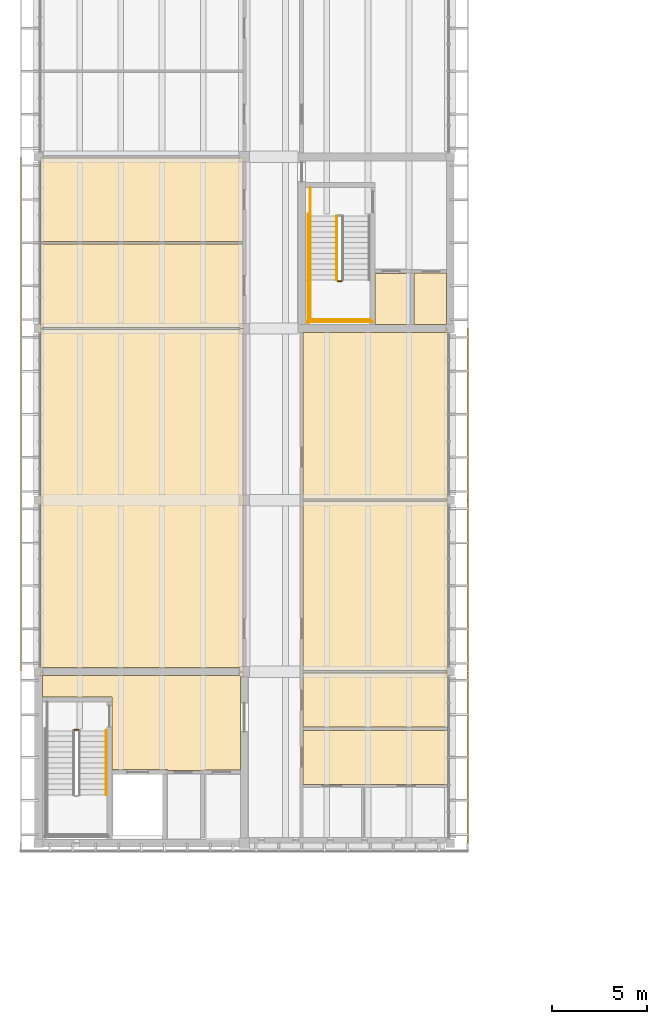
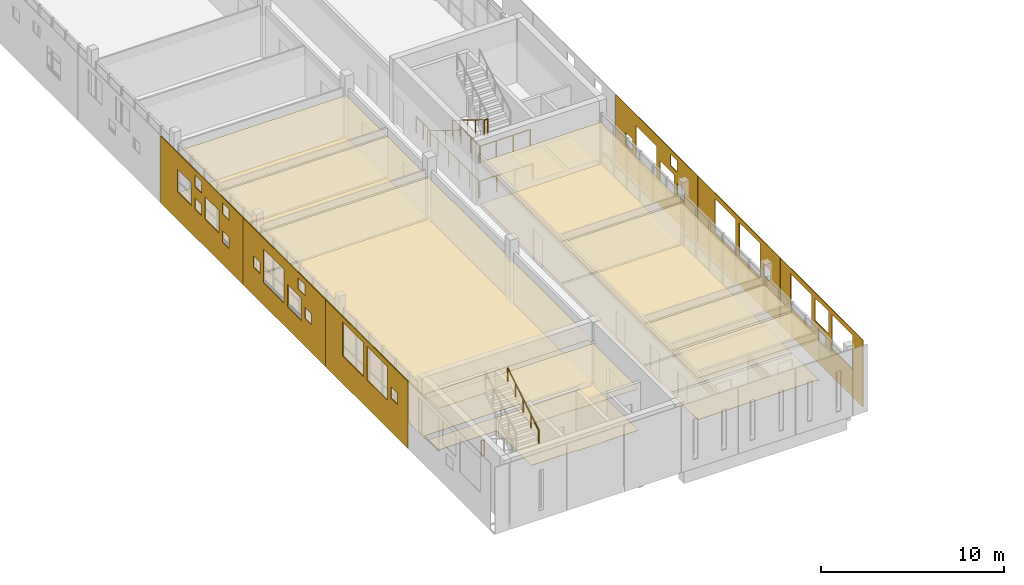
# One storey, part 43 of 50: 24 coverings, 10 railings.
"""IFC4 building model written with IfcOpenShell, lengths in metres."""

from ifc_helpers import new_model, si_unit, direction, frame, origin, origin_2d, place, context, subcontext, project, spatial, polyline, circle, outline, extrude, source, transform, mapped, material, layer, layer_set, type_object, element, save


model = new_model("IFC4")

# Units and contexts
model_context = context("Model", 3, precision=1e-05, world=origin(), true_north=direction((0.0, 1.0)))
body_context = subcontext(model_context, "Body", "Model", "MODEL_VIEW")
ifc_project = project(units=[si_unit("LENGTHUNIT", "METRE"), si_unit("AREAUNIT", "SQUARE_METRE"), si_unit("VOLUMEUNIT", "CUBIC_METRE"), si_unit("PLANEANGLEUNIT", "RADIAN"), si_unit("MASSUNIT", "GRAM", prefix="KILO")], contexts=[model_context])

# Site, building, storey
site_placement = place(None, origin())
site = spatial("IfcSite", under=ifc_project, at=site_placement, CompositionType="ELEMENT")
building_placement = place(site_placement, origin())
building = spatial("IfcBuilding", under=site, at=building_placement, Name="Merrow Basin Faculty of Sciences", CompositionType="ELEMENT")
storey_placement = place(building_placement, frame((0.0, 0.0, 18.0)))
storey = spatial("IfcBuildingStorey", under=building, at=storey_placement, Name="L04", CompositionType="ELEMENT", Elevation=18.0)

# Coverings
ifc_material_1 = material(Name="Carpet tile floor")
ifc_layer_1 = layer(ifc_material_1, 0.02001953125)
ifc_layer_set_1 = layer_set([ifc_layer_1], Name="Carpet tile floor")
covering_type_1 = type_object("IfcCoveringType", Name="Carpet tile floor", PredefinedType="FLOORING", material=ifc_layer_set_1)
covering_1_placement = place(storey_placement, origin())
element("IfcCovering", 1, at=covering_1_placement, inside=storey, type_object=covering_type_1, Name="Floor finish L04-B-008", PredefinedType="FLOORING", context=body_context, shape_type="SweptSolid", body=[
    extrude(outline(polyline([(17.659912109375, 88.2099609375), (17.659912109375, 90.889892578125), (19.489990234375, 90.889892578125), (19.489990234375, 88.2099609375), (17.659912109375, 88.2099609375)])), origin(), (0.0, 0.0, 1.0), 0.02001953125),
])
covering_2_placement = place(storey_placement, origin())
element("IfcCovering", 2, at=covering_2_placement, inside=storey, type_object=covering_type_1, Name="Floor finish L04-B-017", PredefinedType="FLOORING", context=body_context, shape_type="SweptSolid", body=[
    extrude(outline(polyline([(10.7900390625, 87.735107421875), (10.715087890625, 87.735107421875), (10.715087890625, 79.264892578125), (10.7900390625, 79.264892578125), (10.7900390625, 78.735107421875), (10.715087890625, 78.735107421875), (10.715087890625, 70.264892578125), (10.7900390625, 70.264892578125), (10.7900390625, 70.010009765625), (10.534912109375, 70.010009765625), (10.534912109375, 70.2099609375), (0.215087890625, 70.2099609375), (0.215087890625, 70.010009765625), (0.110107421875, 70.010009765625), (0.110107421875, 87.989990234375), (0.215087890625, 87.989990234375), (0.215087890625, 87.93994140625), (10.534912109375, 87.93994140625), (10.534912109375, 87.989990234375), (10.7900390625, 87.989990234375), (10.7900390625, 87.735107421875)])), origin(), (0.0, 0.0, 1.0), 0.02001953125),
])
covering_3_placement = place(storey_placement, origin())
element("IfcCovering", 3, at=covering_3_placement, inside=storey, type_object=covering_type_1, Name="Floor finish L04-B-018", PredefinedType="FLOORING", context=body_context, shape_type="SweptSolid", body=[
    extrude(outline(polyline([(10.715087890625, 92.43994140625), (10.715087890625, 88.264892578125), (10.7900390625, 88.264892578125), (10.7900390625, 88.010009765625), (10.534912109375, 88.010009765625), (10.534912109375, 88.06005859375), (0.215087890625, 88.06005859375), (0.215087890625, 88.010009765625), (0.110107421875, 88.010009765625), (0.110107421875, 92.489990234375), (0.169921875, 92.489990234375), (0.169921875, 92.43994140625), (10.715087890625, 92.43994140625)])), origin(), (0.0, 0.0, 1.0), 0.02001953125),
])
covering_4_placement = place(storey_placement, origin())
element("IfcCovering", 4, at=covering_4_placement, inside=storey, type_object=covering_type_1, Name="Floor finish L04-B-019", PredefinedType="FLOORING", context=body_context, shape_type="SweptSolid", body=[
    extrude(outline(polyline([(10.715087890625, 92.56005859375), (0.169921875, 92.56005859375), (0.169921875, 92.510009765625), (0.110107421875, 92.510009765625), (0.110107421875, 96.989990234375), (0.215087890625, 96.989990234375), (0.215087890625, 96.93994140625), (10.534912109375, 96.93994140625), (10.534912109375, 96.989990234375), (10.7900390625, 96.989990234375), (10.7900390625, 96.735107421875), (10.715087890625, 96.735107421875), (10.715087890625, 92.56005859375)])), origin(), (0.0, 0.0, 1.0), 0.02001953125),
])
covering_5_placement = place(storey_placement, origin())
element("IfcCovering", 5, at=covering_5_placement, inside=storey, type_object=covering_type_1, Name="Floor finish L04-B-024", PredefinedType="FLOORING", context=body_context, shape_type="SweptSolid", body=[
    extrude(outline(polyline([(21.489990234375, 78.989990234375), (21.489990234375, 70.010009765625), (21.385009765625, 70.010009765625), (21.385009765625, 70.06005859375), (13.885009765625, 70.06005859375), (13.885009765625, 78.93994140625), (21.385009765625, 78.93994140625), (21.385009765625, 78.989990234375), (21.489990234375, 78.989990234375)])), origin(), (0.0, 0.0, 1.0), 0.02001953125),
])
covering_6_placement = place(storey_placement, origin())
element("IfcCovering", 6, at=covering_6_placement, inside=storey, type_object=covering_type_1, Name="Floor finish L04-B-025", PredefinedType="FLOORING", context=body_context, shape_type="SweptSolid", body=[
    extrude(outline(polyline([(21.489990234375, 87.989990234375), (21.489990234375, 79.010009765625), (21.385009765625, 79.010009765625), (21.385009765625, 79.06005859375), (13.885009765625, 79.06005859375), (13.885009765625, 87.7900390625), (21.385009765625, 87.7900390625), (21.385009765625, 87.989990234375), (21.489990234375, 87.989990234375)])), origin(), (0.0, 0.0, 1.0), 0.02001953125),
])
covering_7_placement = place(storey_placement, origin())
element("IfcCovering", 7, at=covering_7_placement, inside=storey, type_object=covering_type_1, Name="Floor finish L04-B-028", PredefinedType="FLOORING", context=body_context, shape_type="SweptSolid", body=[
    extrude(outline(polyline([(21.489990234375, 69.989990234375), (21.489990234375, 67.010009765625), (21.429931640625, 67.010009765625), (21.429931640625, 67.0849609375), (13.885009765625, 67.0849609375), (13.885009765625, 69.93994140625), (21.385009765625, 69.93994140625), (21.385009765625, 69.989990234375), (21.489990234375, 69.989990234375)])), origin(), (0.0, 0.0, 1.0), 0.02001953125),
])
ifc_material_2 = material(Name="Polished terrazzo floor")
ifc_layer_2 = layer(ifc_material_2, 0.02001953125)
ifc_layer_set_2 = layer_set([ifc_layer_2], Name="Polished terrazzo floor")
covering_type_2 = type_object("IfcCoveringType", Name="Polished terrazzo floor", PredefinedType="FLOORING", material=ifc_layer_set_2)
covering_8_placement = place(storey_placement, origin())
element("IfcCovering", 8, at=covering_8_placement, inside=storey, type_object=covering_type_2, Name="Floor finish L04-B-005", PredefinedType="FLOORING", context=body_context, shape_type="SweptSolid", body=[
    extrude(outline(polyline([(10.590087890625, 64.8349609375), (8.590087890625, 64.8349609375), (8.590087890625, 64.81005859375), (6.760009765625, 64.81005859375), (6.760009765625, 64.860107421875), (3.860107421875, 64.860107421875), (3.860107421875, 68.659912109375), (0.2099609375, 68.659912109375), (0.2099609375, 69.784912109375), (0.110107421875, 69.784912109375), (0.110107421875, 69.989990234375), (0.215087890625, 69.989990234375), (0.215087890625, 69.7900390625), (10.534912109375, 69.7900390625), (10.534912109375, 69.989990234375), (10.7900390625, 69.989990234375), (10.7900390625, 69.735107421875), (10.590087890625, 69.735107421875), (10.590087890625, 64.8349609375)])), origin(), (0.0, 0.0, 1.0), 0.02001953125),
])
covering_9_placement = place(storey_placement, origin())
element("IfcCovering", 9, at=covering_9_placement, inside=storey, type_object=covering_type_2, Name="Floor finish L04-B-016", PredefinedType="FLOORING", context=body_context, shape_type="SweptSolid", body=[
    extrude(outline(polyline([(21.489990234375, 66.989990234375), (21.489990234375, 64.010009765625), (21.429931640625, 64.010009765625), (21.429931640625, 64.0849609375), (13.885009765625, 64.0849609375), (13.885009765625, 66.9150390625), (21.429931640625, 66.9150390625), (21.429931640625, 66.989990234375), (21.489990234375, 66.989990234375)])), origin(), (0.0, 0.0, 1.0), 0.02001953125),
])
ifc_material_3 = material(Name="Sealed concrete floor", Category="concrete")
ifc_layer_3 = layer(ifc_material_3, 0.02001953125)
ifc_layer_set_3 = layer_set([ifc_layer_3], Name="Sealed concrete floor")
covering_type_3 = type_object("IfcCoveringType", Name="Sealed concrete floor", PredefinedType="FLOORING", material=ifc_layer_set_3)
covering_10_placement = place(storey_placement, origin())
element("IfcCovering", 10, at=covering_10_placement, inside=storey, type_object=covering_type_3, Name="Floor finish L04-B-009", PredefinedType="FLOORING", context=body_context, shape_type="SweptSolid", body=[
    extrude(outline(polyline([(21.389892578125, 90.9150390625), (21.389892578125, 88.215087890625), (21.489990234375, 88.215087890625), (21.489990234375, 88.010009765625), (21.385009765625, 88.010009765625), (21.385009765625, 88.2099609375), (19.7099609375, 88.2099609375), (19.7099609375, 90.9150390625), (21.389892578125, 90.9150390625)])), origin(), (0.0, 0.0, 1.0), 0.02001953125),
])

# Railings
ifc_material_4 = material(Name="Steel ASTM A36", Category="steel")
railing_type_1 = type_object("IfcRailingType", Name="Steel guard 1100", PredefinedType="GUARDRAIL", material=ifc_material_4)
railing_1_placement = place(storey_placement, frame((1.89990234375, 66.949951171875, 0.0)))
element("IfcRailing", 11, at=railing_1_placement, inside=storey, type_object=railing_type_1, Name="L04 ST-V4-S stair guard 6", PredefinedType="GUARDRAIL", context=body_context, shape_type="SweptSolid", body=[
    extrude(circle(Radius=0.02392578125, at=origin_2d()), frame((0.0, 0.0, 1.076171875), z_axis=(1.0, 0.0, 0.0), x_axis=(0.0, 1.0, 0.0)), (0.0, 0.0, 1.0), 0.2001953125),
    extrude(circle(Radius=0.02099609375, at=origin_2d()), origin(), (0.0, 0.0, 1.0), 1.052001953125),
    extrude(circle(Radius=0.02099609375, at=origin_2d()), frame((0.2001953125, 0.0, 0.0)), (0.0, 0.0, 1.0), 1.052001953125),
])
railing_2_placement = place(storey_placement, frame((15.64990234375, 93.89990234375, 0.173095703125)))
element("IfcRailing", 12, at=railing_2_placement, inside=storey, type_object=railing_type_1, Name="L04 ST-V4-M stair guard 1", PredefinedType="GUARDRAIL", context=body_context, shape_type="SweptSolid", body=[
    extrude(circle(Radius=0.02392578125, at=origin_2d()), frame((0.0, 0.0, 1.076171875), z_axis=(0.0, -0.850606129759, 0.525803396734), x_axis=(1.0, 0.0, 0.0)), (0.0, 0.0, 1.0), 3.949951171875),
    extrude(circle(Radius=0.02099609375, at=origin_2d()), origin(), (0.0, 0.0, 1.0), 1.052001953125),
    extrude(circle(Radius=0.02099609375, at=origin_2d()), frame((0.0, -0.83984375, 0.519287109375)), (0.0, 0.0, 1.0), 1.052001953125),
    extrude(circle(Radius=0.02099609375, at=origin_2d()), frame((0.0, -1.679931640625, 1.03857421875)), (0.0, 0.0, 1.0), 1.052001953125),
    extrude(circle(Radius=0.02099609375, at=origin_2d()), frame((0.0, -2.52001953125, 1.5576171875)), (0.0, 0.0, 1.0), 1.052001953125),
    extrude(circle(Radius=0.02099609375, at=origin_2d()), frame((0.0, -3.35986328125, 2.076904296875)), (0.0, 0.0, 1.0), 1.052001953125),
])
railing_3_placement = place(storey_placement, frame((15.699951171875, 90.489990234375, 2.25)))
element("IfcRailing", 13, at=railing_3_placement, inside=storey, type_object=railing_type_1, Name="L04 ST-V4-M stair guard 2", PredefinedType="GUARDRAIL", context=body_context, shape_type="SweptSolid", body=[
    extrude(circle(Radius=0.02392578125, at=origin_2d()), frame((0.0, 0.0, 1.076171875), z_axis=(1.0, 0.0, 0.0), x_axis=(0.0, 1.0, 0.0)), (0.0, 0.0, 1.0), 0.199951171875),
    extrude(circle(Radius=0.02099609375, at=origin_2d()), origin(), (0.0, 0.0, 1.0), 1.052001953125),
    extrude(circle(Radius=0.02099609375, at=origin_2d()), frame((0.199951171875, 0.0, 0.0)), (0.0, 0.0, 1.0), 1.052001953125),
])
railing_4_placement = place(storey_placement, frame((14.25, 90.5400390625, 2.25)))
element("IfcRailing", 14, at=railing_4_placement, inside=storey, type_object=railing_type_1, Name="L04 ST-V4-M stair guard 3", PredefinedType="GUARDRAIL", context=body_context, shape_type="SweptSolid", body=[
    extrude(circle(Radius=0.02392578125, at=origin_2d()), frame((0.0, 0.0, 1.076171875), z_axis=(0.0, -1.0, 0.0), x_axis=(1.0, 0.0, 0.0)), (0.0, 0.0, 1.0), 2.14013671875),
    extrude(circle(Radius=0.02099609375, at=origin_2d()), origin(), (0.0, 0.0, 1.0), 1.052001953125),
    extrude(circle(Radius=0.02099609375, at=origin_2d()), frame((0.0, -1.070068359375, 0.0)), (0.0, 0.0, 1.0), 1.052001953125),
    extrude(circle(Radius=0.02099609375, at=origin_2d()), frame((0.0, -2.14013671875, 0.0)), (0.0, 0.0, 1.0), 1.052001953125),
])
railing_5_placement = place(storey_placement, frame((14.199951171875, 88.449951171875, 2.25)))
element("IfcRailing", 15, at=railing_5_placement, inside=storey, type_object=railing_type_1, Name="L04 ST-V4-M stair guard 4", PredefinedType="GUARDRAIL", context=body_context, shape_type="SweptSolid", body=[
    extrude(circle(Radius=0.02392578125, at=origin_2d()), frame((0.0, 0.0, 1.076171875), z_axis=(1.0, 0.0, 0.0), x_axis=(0.0, 1.0, 0.0)), (0.0, 0.0, 1.0), 3.199951171875),
    extrude(circle(Radius=0.02099609375, at=origin_2d()), origin(), (0.0, 0.0, 1.0), 1.052001953125),
    extrude(circle(Radius=0.02099609375, at=origin_2d()), frame((1.066650390625, 0.0, 0.0)), (0.0, 0.0, 1.0), 1.052001953125),
    extrude(circle(Radius=0.02099609375, at=origin_2d()), frame((2.13330078125, 0.0, 0.0)), (0.0, 0.0, 1.0), 1.052001953125),
    extrude(circle(Radius=0.02099609375, at=origin_2d()), frame((3.199951171875, 0.0, 0.0)), (0.0, 0.0, 1.0), 1.052001953125),
])
railing_6_placement = place(storey_placement, frame((14.25, 95.39990234375, 0.0)))
element("IfcRailing", 16, at=railing_6_placement, inside=storey, type_object=railing_type_1, Name="L04 ST-V4-M stair guard 7", PredefinedType="GUARDRAIL", context=body_context, shape_type="SweptSolid", body=[
    extrude(circle(Radius=0.02392578125, at=origin_2d()), frame((0.0, 0.0, 1.076171875), z_axis=(0.0, -1.0, 0.0), x_axis=(1.0, 0.0, 0.0)), (0.0, 0.0, 1.0), 1.5),
    extrude(circle(Radius=0.02099609375, at=origin_2d()), origin(), (0.0, 0.0, 1.0), 1.052001953125),
    extrude(circle(Radius=0.02099609375, at=origin_2d()), frame((0.0, -0.75, 0.0)), (0.0, 0.0, 1.0), 1.052001953125),
    extrude(circle(Radius=0.02099609375, at=origin_2d()), frame((0.0, -1.5, 0.0)), (0.0, 0.0, 1.0), 1.052001953125),
])
railing_7_placement = place(storey_placement, frame((14.14990234375, 94.0, 0.0)))
element("IfcRailing", 17, at=railing_7_placement, inside=storey, type_object=railing_type_1, Name="L04 ST-V4-M stair guard 8", PredefinedType="GUARDRAIL", context=body_context, shape_type="SweptSolid", body=[
    extrude(circle(Radius=0.02392578125, at=origin_2d()), frame((0.0, 0.0, 1.076171875), z_axis=(0.0, -1.0, 0.0), x_axis=(1.0, 0.0, 0.0)), (0.0, 0.0, 1.0), 5.699951171875),
    extrude(circle(Radius=0.02099609375, at=origin_2d()), origin(), (0.0, 0.0, 1.0), 1.052001953125),
    extrude(circle(Radius=0.02099609375, at=origin_2d()), frame((0.0, -1.139892578125, 0.0)), (0.0, 0.0, 1.0), 1.052001953125),
    extrude(circle(Radius=0.02099609375, at=origin_2d()), frame((0.0, -2.280029296875, 0.0)), (0.0, 0.0, 1.0), 1.052001953125),
    extrude(circle(Radius=0.02099609375, at=origin_2d()), frame((0.0, -3.419921875, 0.0)), (0.0, 0.0, 1.0), 1.052001953125),
    extrude(circle(Radius=0.02099609375, at=origin_2d()), frame((0.0, -4.56005859375, 0.0)), (0.0, 0.0, 1.0), 1.052001953125),
    extrude(circle(Radius=0.02099609375, at=origin_2d()), frame((0.0, -5.699951171875, 0.0)), (0.0, 0.0, 1.0), 1.052001953125),
])
railing_8_placement = place(storey_placement, frame((14.10009765625, 88.35009765625, 0.0)))
element("IfcRailing", 18, at=railing_8_placement, inside=storey, type_object=railing_type_1, Name="L04 ST-V4-M stair guard 9", PredefinedType="GUARDRAIL", context=body_context, shape_type="SweptSolid", body=[
    extrude(circle(Radius=0.02392578125, at=origin_2d()), frame((0.0, 0.0, 1.076171875), z_axis=(1.0, 0.0, 0.0), x_axis=(0.0, 1.0, 0.0)), (0.0, 0.0, 1.0), 3.39990234375),
    extrude(circle(Radius=0.02099609375, at=origin_2d()), origin(), (0.0, 0.0, 1.0), 1.052001953125),
    extrude(circle(Radius=0.02099609375, at=origin_2d()), frame((1.13330078125, 0.0, 0.0)), (0.0, 0.0, 1.0), 1.052001953125),
    extrude(circle(Radius=0.02099609375, at=origin_2d()), frame((2.2666015625, 0.0, 0.0)), (0.0, 0.0, 1.0), 1.052001953125),
    extrude(circle(Radius=0.02099609375, at=origin_2d()), frame((3.39990234375, 0.0, 0.0)), (0.0, 0.0, 1.0), 1.052001953125),
])
ifc_material_5 = material(Name="Steel ASTM A36", Category="steel")
railing_type_2 = type_object("IfcRailingType", Name="Steel handrail 900", PredefinedType="HANDRAIL", material=ifc_material_5)
railing_9_placement = place(storey_placement, frame((3.550048828125, 63.5400390625, 2.423095703125)))
element("IfcRailing", 19, at=railing_9_placement, inside=storey, type_object=railing_type_2, Name="L04 ST-V4-S stair handrail 2", PredefinedType="HANDRAIL", context=body_context, shape_type="SweptSolid", body=[
    extrude(circle(Radius=0.02392578125, at=origin_2d()), frame((0.0, 0.0, 0.8759765625), z_axis=(0.0, 0.850606129759, 0.525803396734), x_axis=(-1.0, 0.0, 0.0)), (0.0, 0.0, 1.0), 3.949951171875),
    extrude(circle(Radius=0.02099609375, at=origin_2d()), origin(), (0.0, 0.0, 1.0), 0.851806640625),
    extrude(circle(Radius=0.02099609375, at=origin_2d()), frame((0.0, 0.83984375, 0.519287109375)), (0.0, 0.0, 1.0), 0.851806640625),
    extrude(circle(Radius=0.02099609375, at=origin_2d()), frame((0.0, 1.679931640625, 1.03857421875)), (0.0, 0.0, 1.0), 0.851806640625),
    extrude(circle(Radius=0.02099609375, at=origin_2d()), frame((0.0, 2.52001953125, 1.5576171875)), (0.0, 0.0, 1.0), 0.851806640625),
    extrude(circle(Radius=0.02099609375, at=origin_2d()), frame((0.0, 3.35986328125, 2.076904296875)), (0.0, 0.0, 1.0), 0.851806640625),
])
railing_10_placement = place(storey_placement, frame((14.25, 93.89990234375, 0.173095703125)))
element("IfcRailing", 20, at=railing_10_placement, inside=storey, type_object=railing_type_2, Name="L04 ST-V4-M stair handrail 1", PredefinedType="HANDRAIL", context=body_context, shape_type="SweptSolid", body=[
    extrude(circle(Radius=0.02392578125, at=origin_2d()), frame((0.0, 0.0, 0.8759765625), z_axis=(0.0, -0.850606129759, 0.525803396734), x_axis=(1.0, 0.0, 0.0)), (0.0, 0.0, 1.0), 3.949951171875),
    extrude(circle(Radius=0.02099609375, at=origin_2d()), origin(), (0.0, 0.0, 1.0), 0.851806640625),
    extrude(circle(Radius=0.02099609375, at=origin_2d()), frame((0.0, -0.83984375, 0.519287109375)), (0.0, 0.0, 1.0), 0.851806640625),
    extrude(circle(Radius=0.02099609375, at=origin_2d()), frame((0.0, -1.679931640625, 1.03857421875)), (0.0, 0.0, 1.0), 0.851806640625),
    extrude(circle(Radius=0.02099609375, at=origin_2d()), frame((0.0, -2.52001953125, 1.5576171875)), (0.0, 0.0, 1.0), 0.851806640625),
    extrude(circle(Radius=0.02099609375, at=origin_2d()), frame((0.0, -3.35986328125, 2.076904296875)), (0.0, 0.0, 1.0), 0.851806640625),
])

# Coverings
ifc_material_6 = material(Name="Mineral fibre ceiling tile")
ifc_layer_4 = layer(ifc_material_6, 0.050048828125)
ifc_layer_set_4 = layer_set([ifc_layer_4], Name="Suspended acoustic ceiling tile")
covering_type_4 = type_object("IfcCoveringType", Name="Suspended acoustic ceiling tile", PredefinedType="CEILING", material=ifc_layer_set_4)
covering_11_placement = place(storey_placement, frame((0.0, 0.0, 2.75)))
element("IfcCovering", 21, at=covering_11_placement, inside=storey, type_object=covering_type_4, Name="Ceiling L04-B-005", PredefinedType="CEILING", context=body_context, shape_type="SweptSolid", body=[
    extrude(outline(polyline([(10.590087890625, 64.8349609375), (8.590087890625, 64.8349609375), (8.590087890625, 64.81005859375), (6.760009765625, 64.81005859375), (6.760009765625, 64.860107421875), (3.860107421875, 64.860107421875), (3.860107421875, 68.659912109375), (0.2099609375, 68.659912109375), (0.2099609375, 69.784912109375), (0.110107421875, 69.784912109375), (0.110107421875, 69.989990234375), (0.215087890625, 69.989990234375), (0.215087890625, 69.7900390625), (10.534912109375, 69.7900390625), (10.534912109375, 69.989990234375), (10.7900390625, 69.989990234375), (10.7900390625, 69.735107421875), (10.590087890625, 69.735107421875), (10.590087890625, 64.8349609375)])), origin(), (0.0, 0.0, 1.0), 0.050048828125),
])
covering_12_placement = place(storey_placement, frame((0.0, 0.0, 2.75)))
element("IfcCovering", 22, at=covering_12_placement, inside=storey, type_object=covering_type_4, Name="Ceiling L04-B-016", PredefinedType="CEILING", context=body_context, shape_type="SweptSolid", body=[
    extrude(outline(polyline([(21.489990234375, 66.989990234375), (21.489990234375, 64.010009765625), (21.429931640625, 64.010009765625), (21.429931640625, 64.0849609375), (13.885009765625, 64.0849609375), (13.885009765625, 66.9150390625), (21.429931640625, 66.9150390625), (21.429931640625, 66.989990234375), (21.489990234375, 66.989990234375)])), origin(), (0.0, 0.0, 1.0), 0.050048828125),
])
covering_13_placement = place(storey_placement, frame((0.0, 0.0, 2.75)))
element("IfcCovering", 23, at=covering_13_placement, inside=storey, type_object=covering_type_4, Name="Ceiling L04-B-017", PredefinedType="CEILING", context=body_context, shape_type="SweptSolid", body=[
    extrude(outline(polyline([(10.7900390625, 87.735107421875), (10.715087890625, 87.735107421875), (10.715087890625, 79.264892578125), (10.7900390625, 79.264892578125), (10.7900390625, 78.735107421875), (10.715087890625, 78.735107421875), (10.715087890625, 70.264892578125), (10.7900390625, 70.264892578125), (10.7900390625, 70.010009765625), (10.534912109375, 70.010009765625), (10.534912109375, 70.2099609375), (0.215087890625, 70.2099609375), (0.215087890625, 70.010009765625), (0.110107421875, 70.010009765625), (0.110107421875, 87.989990234375), (0.215087890625, 87.989990234375), (0.215087890625, 87.93994140625), (10.534912109375, 87.93994140625), (10.534912109375, 87.989990234375), (10.7900390625, 87.989990234375), (10.7900390625, 87.735107421875)])), origin(), (0.0, 0.0, 1.0), 0.050048828125),
])
covering_14_placement = place(storey_placement, frame((0.0, 0.0, 2.75)))
element("IfcCovering", 24, at=covering_14_placement, inside=storey, type_object=covering_type_4, Name="Ceiling L04-B-018", PredefinedType="CEILING", context=body_context, shape_type="SweptSolid", body=[
    extrude(outline(polyline([(10.715087890625, 92.43994140625), (10.715087890625, 88.264892578125), (10.7900390625, 88.264892578125), (10.7900390625, 88.010009765625), (10.534912109375, 88.010009765625), (10.534912109375, 88.06005859375), (0.215087890625, 88.06005859375), (0.215087890625, 88.010009765625), (0.110107421875, 88.010009765625), (0.110107421875, 92.489990234375), (0.169921875, 92.489990234375), (0.169921875, 92.43994140625), (10.715087890625, 92.43994140625)])), origin(), (0.0, 0.0, 1.0), 0.050048828125),
])
covering_15_placement = place(storey_placement, frame((0.0, 0.0, 2.75)))
element("IfcCovering", 25, at=covering_15_placement, inside=storey, type_object=covering_type_4, Name="Ceiling L04-B-019", PredefinedType="CEILING", context=body_context, shape_type="SweptSolid", body=[
    extrude(outline(polyline([(10.715087890625, 92.56005859375), (0.169921875, 92.56005859375), (0.169921875, 92.510009765625), (0.110107421875, 92.510009765625), (0.110107421875, 96.989990234375), (0.215087890625, 96.989990234375), (0.215087890625, 96.93994140625), (10.534912109375, 96.93994140625), (10.534912109375, 96.989990234375), (10.7900390625, 96.989990234375), (10.7900390625, 96.735107421875), (10.715087890625, 96.735107421875), (10.715087890625, 92.56005859375)])), origin(), (0.0, 0.0, 1.0), 0.050048828125),
])
covering_16_placement = place(storey_placement, frame((0.0, 0.0, 2.75)))
element("IfcCovering", 26, at=covering_16_placement, inside=storey, type_object=covering_type_4, Name="Ceiling L04-B-024", PredefinedType="CEILING", context=body_context, shape_type="SweptSolid", body=[
    extrude(outline(polyline([(21.489990234375, 78.989990234375), (21.489990234375, 70.010009765625), (21.385009765625, 70.010009765625), (21.385009765625, 70.06005859375), (13.885009765625, 70.06005859375), (13.885009765625, 78.93994140625), (21.385009765625, 78.93994140625), (21.385009765625, 78.989990234375), (21.489990234375, 78.989990234375)])), origin(), (0.0, 0.0, 1.0), 0.050048828125),
])
covering_17_placement = place(storey_placement, frame((0.0, 0.0, 2.75)))
element("IfcCovering", 27, at=covering_17_placement, inside=storey, type_object=covering_type_4, Name="Ceiling L04-B-025", PredefinedType="CEILING", context=body_context, shape_type="SweptSolid", body=[
    extrude(outline(polyline([(21.489990234375, 87.989990234375), (21.489990234375, 79.010009765625), (21.385009765625, 79.010009765625), (21.385009765625, 79.06005859375), (13.885009765625, 79.06005859375), (13.885009765625, 87.7900390625), (21.385009765625, 87.7900390625), (21.385009765625, 87.989990234375), (21.489990234375, 87.989990234375)])), origin(), (0.0, 0.0, 1.0), 0.050048828125),
])
covering_18_placement = place(storey_placement, frame((0.0, 0.0, 2.75)))
element("IfcCovering", 28, at=covering_18_placement, inside=storey, type_object=covering_type_4, Name="Ceiling L04-B-028", PredefinedType="CEILING", context=body_context, shape_type="SweptSolid", body=[
    extrude(outline(polyline([(21.489990234375, 69.989990234375), (21.489990234375, 67.010009765625), (21.429931640625, 67.010009765625), (21.429931640625, 67.0849609375), (13.885009765625, 67.0849609375), (13.885009765625, 69.93994140625), (21.385009765625, 69.93994140625), (21.385009765625, 69.989990234375), (21.489990234375, 69.989990234375)])), origin(), (0.0, 0.0, 1.0), 0.050048828125),
])
ifc_material_7 = material(Name="White powder-coated aluminium", Category="aluminium")
ifc_layer_5 = layer(ifc_material_7, 0.0400390625)
ifc_layer_set_5 = layer_set([ifc_layer_5], Name="Perforated panel 9000 x 4500")
covering_type_5 = type_object("IfcCoveringType", Name="Perforated panel 9000 x 4500", PredefinedType="CLADDING", material=ifc_layer_set_5)
shared_shape_1 = source(origin(), body_context, "Body", "SweptSolid", [
    extrude(outline(polyline([(0.02001953125, 0.02001953125), (8.97998046875, 0.02001953125), (8.97998046875, 4.47998046875), (0.02001953125, 4.47998046875), (0.02001953125, 0.02001953125)]), holes=[polyline([(4.125, 1.5), (4.875, 1.5), (4.875, 2.25), (4.125, 2.25), (4.125, 1.5)]), polyline([(5.625, 1.875), (7.875, 1.875), (7.875, 4.125), (5.625, 4.125), (5.625, 1.875)]), polyline([(1.125, 1.875), (3.375, 1.875), (3.375, 4.125), (1.125, 4.125), (1.125, 1.875)]), polyline([(3.75, 2.625), (5.25, 2.625), (5.25, 4.125), (3.75, 4.125), (3.75, 2.625)])]), origin(), (0.0, 0.0, 1.0), 0.0400390625),
])
covering_19_placement = place(storey_placement, frame((22.5400390625, 70.0, -0.320068359375), z_axis=(-1.0, 0.0, 0.0), x_axis=(0.0, -1.0, 0.0)))
element("IfcCovering", 29, at=covering_19_placement, inside=storey, type_object=covering_type_5, Name="Perforated panel EL04-01", PredefinedType="CLADDING", context=body_context, shape_type="MappedRepresentation", body=[
    mapped(shared_shape_1, transform((0.0, 0.0, 0.0), scale=1.0)),
])
shared_shape_2 = source(origin(), body_context, "Body", "SweptSolid", [
    extrude(outline(polyline([(0.02001953125, 0.02001953125), (8.97998046875, 0.02001953125), (8.97998046875, 4.47998046875), (0.02001953125, 4.47998046875), (0.02001953125, 0.02001953125)]), holes=[polyline([(2.25, 1.875), (4.5, 1.875), (4.5, 4.125), (2.25, 4.125), (2.25, 1.875)]), polyline([(4.875, 1.875), (7.125, 1.875), (7.125, 4.125), (4.875, 4.125), (4.875, 1.875)]), polyline([(1.125, 2.25), (1.875, 2.25), (1.875, 3.0), (1.125, 3.0), (1.125, 2.25)])]), origin(), (0.0, 0.0, 1.0), 0.0400390625),
])
covering_20_placement = place(storey_placement, frame((-0.93994140625, 70.0, -0.320068359375), z_axis=(1.0, 0.0, 0.0), x_axis=(0.0, 1.0, 0.0)))
element("IfcCovering", 30, at=covering_20_placement, inside=storey, type_object=covering_type_5, Name="Perforated panel WL04-02", PredefinedType="CLADDING", context=body_context, shape_type="MappedRepresentation", body=[
    mapped(shared_shape_2, transform((0.0, 0.0, 0.0), scale=1.0)),
])
shared_shape_3 = source(origin(), body_context, "Body", "SweptSolid", [
    extrude(outline(polyline([(0.02001953125, 0.02001953125), (8.97998046875, 0.02001953125), (8.97998046875, 4.47998046875), (0.02001953125, 4.47998046875), (0.02001953125, 0.02001953125)]), holes=[polyline([(4.5, 1.875), (6.75, 1.875), (6.75, 4.125), (4.5, 4.125), (4.5, 1.875)]), polyline([(1.875, 1.875), (4.125, 1.875), (4.125, 4.125), (1.875, 4.125), (1.875, 1.875)]), polyline([(7.125, 2.25), (7.875, 2.25), (7.875, 3.0), (7.125, 3.0), (7.125, 2.25)])]), origin(), (0.0, 0.0, 1.0), 0.0400390625),
])
covering_21_placement = place(storey_placement, frame((22.5400390625, 79.0, -0.320068359375), z_axis=(-1.0, 0.0, 0.0), x_axis=(0.0, -1.0, 0.0)))
element("IfcCovering", 31, at=covering_21_placement, inside=storey, type_object=covering_type_5, Name="Perforated panel EL04-02", PredefinedType="CLADDING", context=body_context, shape_type="MappedRepresentation", body=[
    mapped(shared_shape_3, transform((0.0, 0.0, 0.0), scale=1.0)),
])
shared_shape_4 = source(origin(), body_context, "Body", "SweptSolid", [
    extrude(outline(polyline([(0.02001953125, 0.02001953125), (8.97998046875, 0.02001953125), (8.97998046875, 4.47998046875), (0.02001953125, 4.47998046875), (0.02001953125, 0.02001953125)]), holes=[polyline([(2.625, 1.5), (4.125, 1.5), (4.125, 3.0), (2.625, 3.0), (2.625, 1.5)]), polyline([(4.5, 1.5), (6.75, 1.5), (6.75, 3.75), (4.5, 3.75), (4.5, 1.5)]), polyline([(1.5, 1.875), (2.25, 1.875), (2.25, 2.625), (1.5, 2.625), (1.5, 1.875)]), polyline([(7.125, 1.875), (7.875, 1.875), (7.875, 2.625), (7.125, 2.625), (7.125, 1.875)]), polyline([(2.25, 3.375), (3.0, 3.375), (3.0, 4.125), (2.25, 4.125), (2.25, 3.375)])]), origin(), (0.0, 0.0, 1.0), 0.0400390625),
])
covering_22_placement = place(storey_placement, frame((-0.93994140625, 79.0, -0.320068359375), z_axis=(1.0, 0.0, 0.0), x_axis=(0.0, 1.0, 0.0)))
element("IfcCovering", 32, at=covering_22_placement, inside=storey, type_object=covering_type_5, Name="Perforated panel WL04-03", PredefinedType="CLADDING", context=body_context, shape_type="MappedRepresentation", body=[
    mapped(shared_shape_4, transform((0.0, 0.0, 0.0), scale=1.0)),
])
shared_shape_5 = source(origin(), body_context, "Body", "SweptSolid", [
    extrude(outline(polyline([(0.02001953125, 0.02001953125), (8.97998046875, 0.02001953125), (8.97998046875, 4.47998046875), (0.02001953125, 4.47998046875), (0.02001953125, 0.02001953125)]), holes=[polyline([(4.875, 1.5), (6.375, 1.5), (6.375, 3.0), (4.875, 3.0), (4.875, 1.5)]), polyline([(2.25, 1.5), (4.5, 1.5), (4.5, 3.75), (2.25, 3.75), (2.25, 1.5)]), polyline([(6.75, 1.875), (7.5, 1.875), (7.5, 2.625), (6.75, 2.625), (6.75, 1.875)]), polyline([(1.125, 1.875), (1.875, 1.875), (1.875, 2.625), (1.125, 2.625), (1.125, 1.875)]), polyline([(6.0, 3.375), (6.75, 3.375), (6.75, 4.125), (6.0, 4.125), (6.0, 3.375)])]), origin(), (0.0, 0.0, 1.0), 0.0400390625),
])
covering_23_placement = place(storey_placement, frame((22.5400390625, 88.0, -0.320068359375), z_axis=(-1.0, 0.0, 0.0), x_axis=(0.0, -1.0, 0.0)))
element("IfcCovering", 33, at=covering_23_placement, inside=storey, type_object=covering_type_5, Name="Perforated panel EL04-03", PredefinedType="CLADDING", context=body_context, shape_type="MappedRepresentation", body=[
    mapped(shared_shape_5, transform((0.0, 0.0, 0.0), scale=1.0)),
])
shared_shape_6 = source(origin(), body_context, "Body", "SweptSolid", [
    extrude(outline(polyline([(0.02001953125, 0.02001953125), (8.97998046875, 0.02001953125), (8.97998046875, 4.47998046875), (0.02001953125, 4.47998046875), (0.02001953125, 0.02001953125)]), holes=[polyline([(1.5, 1.5), (2.25, 1.5), (2.25, 2.25), (1.5, 2.25), (1.5, 1.5)]), polyline([(2.625, 1.875), (4.125, 1.875), (4.125, 3.375), (2.625, 3.375), (2.625, 1.875)]), polyline([(4.5, 1.875), (5.25, 1.875), (5.25, 2.625), (4.5, 2.625), (4.5, 1.875)]), polyline([(5.625, 1.875), (7.125, 1.875), (7.125, 3.375), (5.625, 3.375), (5.625, 1.875)]), polyline([(1.5, 3.375), (2.25, 3.375), (2.25, 4.125), (1.5, 4.125), (1.5, 3.375)]), polyline([(4.5, 3.375), (5.25, 3.375), (5.25, 4.125), (4.5, 4.125), (4.5, 3.375)])]), origin(), (0.0, 0.0, 1.0), 0.0400390625),
])
covering_24_placement = place(storey_placement, frame((-0.93994140625, 88.0, -0.320068359375), z_axis=(1.0, 0.0, 0.0), x_axis=(0.0, 1.0, 0.0)))
element("IfcCovering", 34, at=covering_24_placement, inside=storey, type_object=covering_type_5, Name="Perforated panel WL04-04", PredefinedType="CLADDING", context=body_context, shape_type="MappedRepresentation", body=[
    mapped(shared_shape_6, transform((0.0, 0.0, 0.0), scale=1.0)),
])

save(model, "model.ifc")
